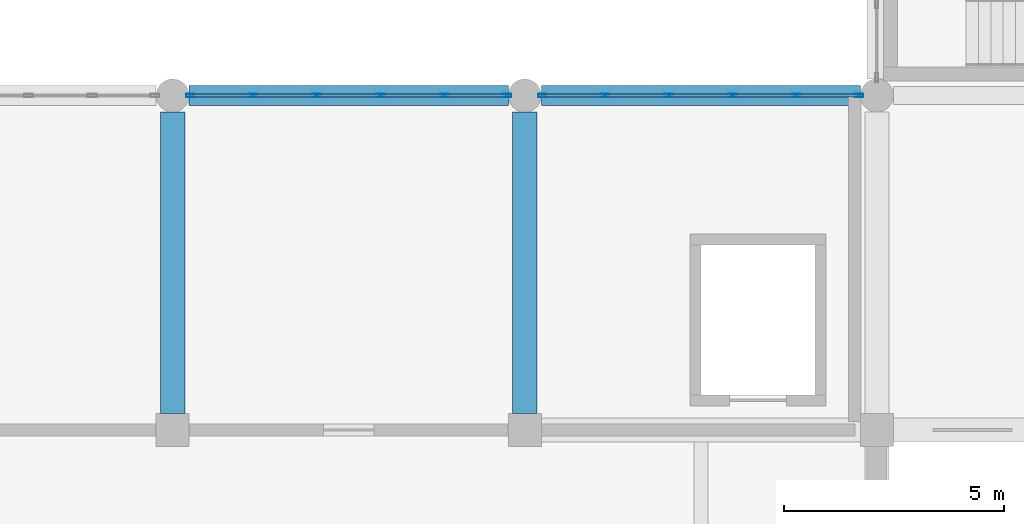
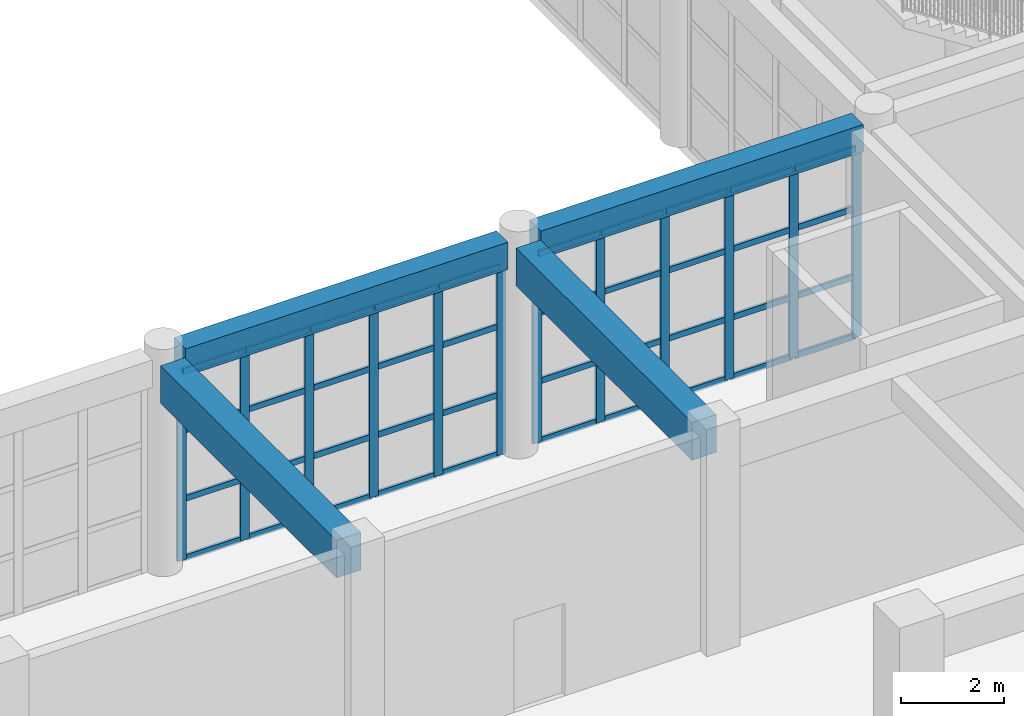
# One storey, part 20 of 95: 52 members, 4 beams, 2 elements without a shape of their own.
"""IFC4 building model written with IfcOpenShell, lengths in metres."""

from ifc_helpers import new_model, si_unit, direction, frame, origin, origin_2d, place, context, subcontext, project, spatial, rectangle, hollow_rectangle, extrude, material, material_profile, profile_set, type_object, element, aggregate, save


model = new_model("IFC4")

# Units and contexts
model_context = context("Model", 3, precision=1e-05, world=origin(), true_north=direction((0.0, 1.0)))
body_context = subcontext(model_context, "Body", "Model", "MODEL_VIEW")
ifc_project = project(units=[si_unit("LENGTHUNIT", "METRE"), si_unit("AREAUNIT", "SQUARE_METRE"), si_unit("VOLUMEUNIT", "CUBIC_METRE"), si_unit("PLANEANGLEUNIT", "RADIAN"), si_unit("MASSUNIT", "GRAM", prefix="KILO")], contexts=[model_context])

# Site, building, storey
site_placement = place(None, origin())
site = spatial("IfcSite", under=ifc_project, at=site_placement, CompositionType="ELEMENT")
building_placement = place(site_placement, origin())
building = spatial("IfcBuilding", under=site, at=building_placement, Name="Zantavel Square City Hall", CompositionType="ELEMENT")
storey_placement = place(building_placement, origin())
storey = spatial("IfcBuildingStorey", under=building, at=storey_placement, Name="L01", CompositionType="ELEMENT", Elevation=0.0)

# Beams
ifc_material_1 = material(Name="Concrete C40/50", Category="concrete")
ifc_material_profile_1 = material_profile(ifc_material_1, rectangle(XDim=0.550048828125, YDim=0.89990234375, at=origin_2d()), Name="RC 550x900")
ifc_profile_set_1 = profile_set([ifc_material_profile_1], Name="Concrete C40/50")
beam_type_1 = type_object("IfcBeamType", Name="Archive Heavy Girder RC 550x900 C40/50", PredefinedType="BEAM", material=ifc_profile_set_1)
for number, where, z_axis, x_axis, name in (
    (1, (32.0, 30.77490234375, 4.6298828125), (0.0, 1.0, 0.0), (-1.0, 0.0, 0.0), "L01 Beam BMY-L01-0320-0304"),
    (2, (40.0, 30.77490234375, 4.6298828125), (0.0, 1.0, 0.0), (-1.0, 0.0, 0.0), "L01 Beam BMY-L01-0400-0304"),
):
    element("IfcBeam", number, at=place(storey_placement, frame(where, z_axis=z_axis, x_axis=x_axis)), inside=storey, type_object=beam_type_1, Name=name, PredefinedType="BEAM", context=body_context, shape_type="SweptSolid", body=[
        extrude(rectangle(XDim=0.550048828125, YDim=0.89990234375, at=origin_2d()), origin(), (0.0, 0.0, 1.0), 6.85009765625),
    ])

# Curtain wall, members
ifc_material_2 = material(Name="Anodised aluminium 6063-T6", Category="aluminium")
curtain_wall_type = type_object("IfcCurtainWallType", Name="Curtain Wall CRT 7250x4510", PredefinedType="USERDEFINED", material=ifc_material_2)
curtain_wall_1_placement = place(storey_placement, origin())
curtain_wall_1 = element("IfcCurtainWall", 3, at=curtain_wall_1_placement, inside=storey, type_object=curtain_wall_type, Name="L01 Glazed Curtain Wall CW-L01-012", ObjectType="GLAZED CURTAIN WALL", PredefinedType="USERDEFINED")
ifc_material_profile_2 = material_profile(ifc_material_2, hollow_rectangle(XDim=0.070068359375, YDim=0.199951171875, WallThickness=0.00439453125, at=origin_2d()), Name="ALU 70x200x4.5")
ifc_profile_set_2 = profile_set([ifc_material_profile_2], Name="Anodised aluminium 6063-T6")
member_type_1 = type_object("IfcMemberType", Name="CW Heavy Hall Mullion ALU 70x200x4.5", PredefinedType="MULLION", material=ifc_profile_set_2)
member_1_placement = place(storey_placement, frame((32.405029296875, 38.0, 0.0), z_axis=(0.0, 0.0, 1.0), x_axis=(0.0, 1.0, 0.0)))
member_1 = element("IfcMember", 4, at=member_1_placement, type_object=member_type_1, Name="CW-012 mullion 1", PredefinedType="MULLION", context=body_context, shape_type="SweptSolid", body=[
    extrude(hollow_rectangle(XDim=0.070068359375, YDim=0.199951171875, WallThickness=0.00439453125, at=origin_2d()), origin(), (0.0, 0.0, 1.0), 4.510009765625),
])
member_2_placement = place(storey_placement, frame((33.824951171875, 38.0, 0.0), z_axis=(0.0, 0.0, 1.0), x_axis=(0.0, 1.0, 0.0)))
member_2 = element("IfcMember", 5, at=member_2_placement, type_object=member_type_1, Name="CW-012 mullion 2", PredefinedType="MULLION", context=body_context, shape_type="SweptSolid", body=[
    extrude(hollow_rectangle(XDim=0.070068359375, YDim=0.199951171875, WallThickness=0.00439453125, at=origin_2d()), origin(), (0.0, 0.0, 1.0), 4.510009765625),
])
member_3_placement = place(storey_placement, frame((35.27490234375, 38.0, 0.0), z_axis=(0.0, 0.0, 1.0), x_axis=(0.0, 1.0, 0.0)))
member_3 = element("IfcMember", 6, at=member_3_placement, type_object=member_type_1, Name="CW-012 mullion 3", PredefinedType="MULLION", context=body_context, shape_type="SweptSolid", body=[
    extrude(hollow_rectangle(XDim=0.070068359375, YDim=0.199951171875, WallThickness=0.00439453125, at=origin_2d()), origin(), (0.0, 0.0, 1.0), 4.510009765625),
])
member_4_placement = place(storey_placement, frame((36.72509765625, 38.0, 0.0), z_axis=(0.0, 0.0, 1.0), x_axis=(0.0, 1.0, 0.0)))
member_4 = element("IfcMember", 7, at=member_4_placement, type_object=member_type_1, Name="CW-012 mullion 4", PredefinedType="MULLION", context=body_context, shape_type="SweptSolid", body=[
    extrude(hollow_rectangle(XDim=0.070068359375, YDim=0.199951171875, WallThickness=0.00439453125, at=origin_2d()), origin(), (0.0, 0.0, 1.0), 4.510009765625),
])
member_5_placement = place(storey_placement, frame((38.175048828125, 38.0, 0.0), z_axis=(0.0, 0.0, 1.0), x_axis=(0.0, 1.0, 0.0)))
member_5 = element("IfcMember", 8, at=member_5_placement, type_object=member_type_1, Name="CW-012 mullion 5", PredefinedType="MULLION", context=body_context, shape_type="SweptSolid", body=[
    extrude(hollow_rectangle(XDim=0.070068359375, YDim=0.199951171875, WallThickness=0.00439453125, at=origin_2d()), origin(), (0.0, 0.0, 1.0), 4.510009765625),
])
member_6_placement = place(storey_placement, frame((39.594970703125, 38.0, 0.0), z_axis=(0.0, 0.0, 1.0), x_axis=(0.0, 1.0, 0.0)))
member_6 = element("IfcMember", 9, at=member_6_placement, type_object=member_type_1, Name="CW-012 mullion 6", PredefinedType="MULLION", context=body_context, shape_type="SweptSolid", body=[
    extrude(hollow_rectangle(XDim=0.070068359375, YDim=0.199951171875, WallThickness=0.00439453125, at=origin_2d()), origin(), (0.0, 0.0, 1.0), 4.510009765625),
])

curtain_wall_2_placement = place(storey_placement, origin())
curtain_wall_2 = element("IfcCurtainWall", 10, at=curtain_wall_2_placement, inside=storey, type_object=curtain_wall_type, Name="L01 Glazed Curtain Wall CW-L01-013", ObjectType="GLAZED CURTAIN WALL", PredefinedType="USERDEFINED")
member_7_placement = place(storey_placement, frame((40.405029296875, 38.0, 0.0), z_axis=(0.0, 0.0, 1.0), x_axis=(0.0, 1.0, 0.0)))
member_7 = element("IfcMember", 11, at=member_7_placement, type_object=member_type_1, Name="CW-013 mullion 1", PredefinedType="MULLION", context=body_context, shape_type="SweptSolid", body=[
    extrude(hollow_rectangle(XDim=0.070068359375, YDim=0.199951171875, WallThickness=0.00439453125, at=origin_2d()), origin(), (0.0, 0.0, 1.0), 4.510009765625),
])
member_8_placement = place(storey_placement, frame((41.824951171875, 38.0, 0.0), z_axis=(0.0, 0.0, 1.0), x_axis=(0.0, 1.0, 0.0)))
member_8 = element("IfcMember", 12, at=member_8_placement, type_object=member_type_1, Name="CW-013 mullion 2", PredefinedType="MULLION", context=body_context, shape_type="SweptSolid", body=[
    extrude(hollow_rectangle(XDim=0.070068359375, YDim=0.199951171875, WallThickness=0.00439453125, at=origin_2d()), origin(), (0.0, 0.0, 1.0), 4.510009765625),
])
member_9_placement = place(storey_placement, frame((43.27490234375, 38.0, 0.0), z_axis=(0.0, 0.0, 1.0), x_axis=(0.0, 1.0, 0.0)))
member_9 = element("IfcMember", 13, at=member_9_placement, type_object=member_type_1, Name="CW-013 mullion 3", PredefinedType="MULLION", context=body_context, shape_type="SweptSolid", body=[
    extrude(hollow_rectangle(XDim=0.070068359375, YDim=0.199951171875, WallThickness=0.00439453125, at=origin_2d()), origin(), (0.0, 0.0, 1.0), 4.510009765625),
])
member_10_placement = place(storey_placement, frame((44.72509765625, 38.0, 0.0), z_axis=(0.0, 0.0, 1.0), x_axis=(0.0, 1.0, 0.0)))
member_10 = element("IfcMember", 14, at=member_10_placement, type_object=member_type_1, Name="CW-013 mullion 4", PredefinedType="MULLION", context=body_context, shape_type="SweptSolid", body=[
    extrude(hollow_rectangle(XDim=0.070068359375, YDim=0.199951171875, WallThickness=0.00439453125, at=origin_2d()), origin(), (0.0, 0.0, 1.0), 4.510009765625),
])
member_11_placement = place(storey_placement, frame((46.175048828125, 38.0, 0.0), z_axis=(0.0, 0.0, 1.0), x_axis=(0.0, 1.0, 0.0)))
member_11 = element("IfcMember", 15, at=member_11_placement, type_object=member_type_1, Name="CW-013 mullion 5", PredefinedType="MULLION", context=body_context, shape_type="SweptSolid", body=[
    extrude(hollow_rectangle(XDim=0.070068359375, YDim=0.199951171875, WallThickness=0.00439453125, at=origin_2d()), origin(), (0.0, 0.0, 1.0), 4.510009765625),
])
member_12_placement = place(storey_placement, frame((47.594970703125, 38.0, 0.0), z_axis=(0.0, 0.0, 1.0), x_axis=(0.0, 1.0, 0.0)))
member_12 = element("IfcMember", 16, at=member_12_placement, type_object=member_type_1, Name="CW-013 mullion 6", PredefinedType="MULLION", context=body_context, shape_type="SweptSolid", body=[
    extrude(hollow_rectangle(XDim=0.070068359375, YDim=0.199951171875, WallThickness=0.00439453125, at=origin_2d()), origin(), (0.0, 0.0, 1.0), 4.510009765625),
])

# Member
ifc_material_profile_3 = material_profile(ifc_material_2, hollow_rectangle(XDim=0.06005859375, YDim=0.139892578125, WallThickness=0.00390625, at=origin_2d()), Name="ALU 60x140x4")
ifc_profile_set_3 = profile_set([ifc_material_profile_3], Name="Anodised aluminium 6063-T6")
member_type_2 = type_object("IfcMemberType", Name="CW Transom ALU 60x140x4", PredefinedType="USERDEFINED", material=ifc_profile_set_3)
member_13_placement = place(storey_placement, frame((32.43505859375, 38.0, 0.030029296875), z_axis=(1.0, 0.0, 0.0), x_axis=(0.0, 1.0, 0.0)))
member_13 = element("IfcMember", 17, at=member_13_placement, type_object=member_type_2, Name="CW-012 transom 1.1", ObjectType="TRANSOM", PredefinedType="USERDEFINED", context=body_context, shape_type="SweptSolid", body=[
    extrude(hollow_rectangle(XDim=0.06005859375, YDim=0.139892578125, WallThickness=0.00390625, at=origin_2d()), origin(), (0.0, 0.0, 1.0), 1.35986328125),
])

member_14_placement = place(storey_placement, frame((32.43505859375, 38.0, 1.443115234375), z_axis=(1.0, 0.0, 0.0), x_axis=(0.0, 1.0, 0.0)))
member_14 = element("IfcMember", 18, at=member_14_placement, type_object=member_type_2, Name="CW-012 transom 1.2", ObjectType="TRANSOM", PredefinedType="USERDEFINED", context=body_context, shape_type="SweptSolid", body=[
    extrude(hollow_rectangle(XDim=0.06005859375, YDim=0.139892578125, WallThickness=0.00390625, at=origin_2d()), origin(), (0.0, 0.0, 1.0), 1.35986328125),
])

member_15_placement = place(storey_placement, frame((32.43505859375, 38.0, 3.06689453125), z_axis=(1.0, 0.0, 0.0), x_axis=(0.0, 1.0, 0.0)))
member_15 = element("IfcMember", 19, at=member_15_placement, type_object=member_type_2, Name="CW-012 transom 1.3", ObjectType="TRANSOM", PredefinedType="USERDEFINED", context=body_context, shape_type="SweptSolid", body=[
    extrude(hollow_rectangle(XDim=0.06005859375, YDim=0.139892578125, WallThickness=0.00390625, at=origin_2d()), origin(), (0.0, 0.0, 1.0), 1.35986328125),
])

member_16_placement = place(storey_placement, frame((32.43505859375, 38.0, 4.47998046875), z_axis=(1.0, 0.0, 0.0), x_axis=(0.0, 1.0, 0.0)))
member_16 = element("IfcMember", 20, at=member_16_placement, type_object=member_type_2, Name="CW-012 transom 1.4", ObjectType="TRANSOM", PredefinedType="USERDEFINED", context=body_context, shape_type="SweptSolid", body=[
    extrude(hollow_rectangle(XDim=0.06005859375, YDim=0.139892578125, WallThickness=0.00390625, at=origin_2d()), origin(), (0.0, 0.0, 1.0), 1.35986328125),
])

member_17_placement = place(storey_placement, frame((33.85498046875, 38.0, 0.030029296875), z_axis=(1.0, 0.0, 0.0), x_axis=(0.0, 1.0, 0.0)))
member_17 = element("IfcMember", 21, at=member_17_placement, type_object=member_type_2, Name="CW-012 transom 2.1", ObjectType="TRANSOM", PredefinedType="USERDEFINED", context=body_context, shape_type="SweptSolid", body=[
    extrude(hollow_rectangle(XDim=0.06005859375, YDim=0.139892578125, WallThickness=0.00390625, at=origin_2d()), origin(), (0.0, 0.0, 1.0), 1.39013671875),
])

member_18_placement = place(storey_placement, frame((33.85498046875, 38.0, 1.443115234375), z_axis=(1.0, 0.0, 0.0), x_axis=(0.0, 1.0, 0.0)))
member_18 = element("IfcMember", 22, at=member_18_placement, type_object=member_type_2, Name="CW-012 transom 2.2", ObjectType="TRANSOM", PredefinedType="USERDEFINED", context=body_context, shape_type="SweptSolid", body=[
    extrude(hollow_rectangle(XDim=0.06005859375, YDim=0.139892578125, WallThickness=0.00390625, at=origin_2d()), origin(), (0.0, 0.0, 1.0), 1.39013671875),
])

member_19_placement = place(storey_placement, frame((33.85498046875, 38.0, 3.06689453125), z_axis=(1.0, 0.0, 0.0), x_axis=(0.0, 1.0, 0.0)))
member_19 = element("IfcMember", 23, at=member_19_placement, type_object=member_type_2, Name="CW-012 transom 2.3", ObjectType="TRANSOM", PredefinedType="USERDEFINED", context=body_context, shape_type="SweptSolid", body=[
    extrude(hollow_rectangle(XDim=0.06005859375, YDim=0.139892578125, WallThickness=0.00390625, at=origin_2d()), origin(), (0.0, 0.0, 1.0), 1.39013671875),
])

member_20_placement = place(storey_placement, frame((33.85498046875, 38.0, 4.47998046875), z_axis=(1.0, 0.0, 0.0), x_axis=(0.0, 1.0, 0.0)))
member_20 = element("IfcMember", 24, at=member_20_placement, type_object=member_type_2, Name="CW-012 transom 2.4", ObjectType="TRANSOM", PredefinedType="USERDEFINED", context=body_context, shape_type="SweptSolid", body=[
    extrude(hollow_rectangle(XDim=0.06005859375, YDim=0.139892578125, WallThickness=0.00390625, at=origin_2d()), origin(), (0.0, 0.0, 1.0), 1.39013671875),
])

member_21_placement = place(storey_placement, frame((35.304931640625, 38.0, 0.030029296875), z_axis=(1.0, 0.0, 0.0), x_axis=(0.0, 1.0, 0.0)))
member_21 = element("IfcMember", 25, at=member_21_placement, type_object=member_type_2, Name="CW-012 transom 3.1", ObjectType="TRANSOM", PredefinedType="USERDEFINED", context=body_context, shape_type="SweptSolid", body=[
    extrude(hollow_rectangle(XDim=0.06005859375, YDim=0.139892578125, WallThickness=0.00390625, at=origin_2d()), origin(), (0.0, 0.0, 1.0), 1.39013671875),
])

member_22_placement = place(storey_placement, frame((35.304931640625, 38.0, 1.443115234375), z_axis=(1.0, 0.0, 0.0), x_axis=(0.0, 1.0, 0.0)))
member_22 = element("IfcMember", 26, at=member_22_placement, type_object=member_type_2, Name="CW-012 transom 3.2", ObjectType="TRANSOM", PredefinedType="USERDEFINED", context=body_context, shape_type="SweptSolid", body=[
    extrude(hollow_rectangle(XDim=0.06005859375, YDim=0.139892578125, WallThickness=0.00390625, at=origin_2d()), origin(), (0.0, 0.0, 1.0), 1.39013671875),
])

member_23_placement = place(storey_placement, frame((35.304931640625, 38.0, 3.06689453125), z_axis=(1.0, 0.0, 0.0), x_axis=(0.0, 1.0, 0.0)))
member_23 = element("IfcMember", 27, at=member_23_placement, type_object=member_type_2, Name="CW-012 transom 3.3", ObjectType="TRANSOM", PredefinedType="USERDEFINED", context=body_context, shape_type="SweptSolid", body=[
    extrude(hollow_rectangle(XDim=0.06005859375, YDim=0.139892578125, WallThickness=0.00390625, at=origin_2d()), origin(), (0.0, 0.0, 1.0), 1.39013671875),
])

member_24_placement = place(storey_placement, frame((35.304931640625, 38.0, 4.47998046875), z_axis=(1.0, 0.0, 0.0), x_axis=(0.0, 1.0, 0.0)))
member_24 = element("IfcMember", 28, at=member_24_placement, type_object=member_type_2, Name="CW-012 transom 3.4", ObjectType="TRANSOM", PredefinedType="USERDEFINED", context=body_context, shape_type="SweptSolid", body=[
    extrude(hollow_rectangle(XDim=0.06005859375, YDim=0.139892578125, WallThickness=0.00390625, at=origin_2d()), origin(), (0.0, 0.0, 1.0), 1.39013671875),
])

member_25_placement = place(storey_placement, frame((36.7548828125, 38.0, 0.030029296875), z_axis=(1.0, 0.0, 0.0), x_axis=(0.0, 1.0, 0.0)))
member_25 = element("IfcMember", 29, at=member_25_placement, type_object=member_type_2, Name="CW-012 transom 4.1", ObjectType="TRANSOM", PredefinedType="USERDEFINED", context=body_context, shape_type="SweptSolid", body=[
    extrude(hollow_rectangle(XDim=0.06005859375, YDim=0.139892578125, WallThickness=0.00390625, at=origin_2d()), origin(), (0.0, 0.0, 1.0), 1.39013671875),
])

member_26_placement = place(storey_placement, frame((36.7548828125, 38.0, 1.443115234375), z_axis=(1.0, 0.0, 0.0), x_axis=(0.0, 1.0, 0.0)))
member_26 = element("IfcMember", 30, at=member_26_placement, type_object=member_type_2, Name="CW-012 transom 4.2", ObjectType="TRANSOM", PredefinedType="USERDEFINED", context=body_context, shape_type="SweptSolid", body=[
    extrude(hollow_rectangle(XDim=0.06005859375, YDim=0.139892578125, WallThickness=0.00390625, at=origin_2d()), origin(), (0.0, 0.0, 1.0), 1.39013671875),
])

member_27_placement = place(storey_placement, frame((36.7548828125, 38.0, 3.06689453125), z_axis=(1.0, 0.0, 0.0), x_axis=(0.0, 1.0, 0.0)))
member_27 = element("IfcMember", 31, at=member_27_placement, type_object=member_type_2, Name="CW-012 transom 4.3", ObjectType="TRANSOM", PredefinedType="USERDEFINED", context=body_context, shape_type="SweptSolid", body=[
    extrude(hollow_rectangle(XDim=0.06005859375, YDim=0.139892578125, WallThickness=0.00390625, at=origin_2d()), origin(), (0.0, 0.0, 1.0), 1.39013671875),
])

member_28_placement = place(storey_placement, frame((36.7548828125, 38.0, 4.47998046875), z_axis=(1.0, 0.0, 0.0), x_axis=(0.0, 1.0, 0.0)))
member_28 = element("IfcMember", 32, at=member_28_placement, type_object=member_type_2, Name="CW-012 transom 4.4", ObjectType="TRANSOM", PredefinedType="USERDEFINED", context=body_context, shape_type="SweptSolid", body=[
    extrude(hollow_rectangle(XDim=0.06005859375, YDim=0.139892578125, WallThickness=0.00390625, at=origin_2d()), origin(), (0.0, 0.0, 1.0), 1.39013671875),
])

member_29_placement = place(storey_placement, frame((38.205078125, 38.0, 0.030029296875), z_axis=(1.0, 0.0, 0.0), x_axis=(0.0, 1.0, 0.0)))
member_29 = element("IfcMember", 33, at=member_29_placement, type_object=member_type_2, Name="CW-012 transom 5.1", ObjectType="TRANSOM", PredefinedType="USERDEFINED", context=body_context, shape_type="SweptSolid", body=[
    extrude(hollow_rectangle(XDim=0.06005859375, YDim=0.139892578125, WallThickness=0.00390625, at=origin_2d()), origin(), (0.0, 0.0, 1.0), 1.35986328125),
])

member_30_placement = place(storey_placement, frame((38.205078125, 38.0, 1.443115234375), z_axis=(1.0, 0.0, 0.0), x_axis=(0.0, 1.0, 0.0)))
member_30 = element("IfcMember", 34, at=member_30_placement, type_object=member_type_2, Name="CW-012 transom 5.2", ObjectType="TRANSOM", PredefinedType="USERDEFINED", context=body_context, shape_type="SweptSolid", body=[
    extrude(hollow_rectangle(XDim=0.06005859375, YDim=0.139892578125, WallThickness=0.00390625, at=origin_2d()), origin(), (0.0, 0.0, 1.0), 1.35986328125),
])

member_31_placement = place(storey_placement, frame((38.205078125, 38.0, 3.06689453125), z_axis=(1.0, 0.0, 0.0), x_axis=(0.0, 1.0, 0.0)))
member_31 = element("IfcMember", 35, at=member_31_placement, type_object=member_type_2, Name="CW-012 transom 5.3", ObjectType="TRANSOM", PredefinedType="USERDEFINED", context=body_context, shape_type="SweptSolid", body=[
    extrude(hollow_rectangle(XDim=0.06005859375, YDim=0.139892578125, WallThickness=0.00390625, at=origin_2d()), origin(), (0.0, 0.0, 1.0), 1.35986328125),
])

member_32_placement = place(storey_placement, frame((38.205078125, 38.0, 4.47998046875), z_axis=(1.0, 0.0, 0.0), x_axis=(0.0, 1.0, 0.0)))
member_32 = element("IfcMember", 36, at=member_32_placement, type_object=member_type_2, Name="CW-012 transom 5.4", ObjectType="TRANSOM", PredefinedType="USERDEFINED", context=body_context, shape_type="SweptSolid", body=[
    extrude(hollow_rectangle(XDim=0.06005859375, YDim=0.139892578125, WallThickness=0.00390625, at=origin_2d()), origin(), (0.0, 0.0, 1.0), 1.35986328125),
])

aggregate(curtain_wall_1, [member_1, member_2, member_3, member_4, member_5, member_6, member_13, member_14, member_15, member_16, member_17, member_18, member_19, member_20, member_21, member_22, member_23, member_24, member_25, member_26, member_27, member_28, member_29, member_30, member_31, member_32])

member_33_placement = place(storey_placement, frame((40.43505859375, 38.0, 0.030029296875), z_axis=(1.0, 0.0, 0.0), x_axis=(0.0, 1.0, 0.0)))
member_33 = element("IfcMember", 37, at=member_33_placement, type_object=member_type_2, Name="CW-013 transom 1.1", ObjectType="TRANSOM", PredefinedType="USERDEFINED", context=body_context, shape_type="SweptSolid", body=[
    extrude(hollow_rectangle(XDim=0.06005859375, YDim=0.139892578125, WallThickness=0.00390625, at=origin_2d()), origin(), (0.0, 0.0, 1.0), 1.35986328125),
])

member_34_placement = place(storey_placement, frame((40.43505859375, 38.0, 1.443115234375), z_axis=(1.0, 0.0, 0.0), x_axis=(0.0, 1.0, 0.0)))
member_34 = element("IfcMember", 38, at=member_34_placement, type_object=member_type_2, Name="CW-013 transom 1.2", ObjectType="TRANSOM", PredefinedType="USERDEFINED", context=body_context, shape_type="SweptSolid", body=[
    extrude(hollow_rectangle(XDim=0.06005859375, YDim=0.139892578125, WallThickness=0.00390625, at=origin_2d()), origin(), (0.0, 0.0, 1.0), 1.35986328125),
])

member_35_placement = place(storey_placement, frame((40.43505859375, 38.0, 3.06689453125), z_axis=(1.0, 0.0, 0.0), x_axis=(0.0, 1.0, 0.0)))
member_35 = element("IfcMember", 39, at=member_35_placement, type_object=member_type_2, Name="CW-013 transom 1.3", ObjectType="TRANSOM", PredefinedType="USERDEFINED", context=body_context, shape_type="SweptSolid", body=[
    extrude(hollow_rectangle(XDim=0.06005859375, YDim=0.139892578125, WallThickness=0.00390625, at=origin_2d()), origin(), (0.0, 0.0, 1.0), 1.35986328125),
])

member_36_placement = place(storey_placement, frame((40.43505859375, 38.0, 4.47998046875), z_axis=(1.0, 0.0, 0.0), x_axis=(0.0, 1.0, 0.0)))
member_36 = element("IfcMember", 40, at=member_36_placement, type_object=member_type_2, Name="CW-013 transom 1.4", ObjectType="TRANSOM", PredefinedType="USERDEFINED", context=body_context, shape_type="SweptSolid", body=[
    extrude(hollow_rectangle(XDim=0.06005859375, YDim=0.139892578125, WallThickness=0.00390625, at=origin_2d()), origin(), (0.0, 0.0, 1.0), 1.35986328125),
])

member_37_placement = place(storey_placement, frame((41.85498046875, 38.0, 0.030029296875), z_axis=(1.0, 0.0, 0.0), x_axis=(0.0, 1.0, 0.0)))
member_37 = element("IfcMember", 41, at=member_37_placement, type_object=member_type_2, Name="CW-013 transom 2.1", ObjectType="TRANSOM", PredefinedType="USERDEFINED", context=body_context, shape_type="SweptSolid", body=[
    extrude(hollow_rectangle(XDim=0.06005859375, YDim=0.139892578125, WallThickness=0.00390625, at=origin_2d()), origin(), (0.0, 0.0, 1.0), 1.39013671875),
])

member_38_placement = place(storey_placement, frame((41.85498046875, 38.0, 1.443115234375), z_axis=(1.0, 0.0, 0.0), x_axis=(0.0, 1.0, 0.0)))
member_38 = element("IfcMember", 42, at=member_38_placement, type_object=member_type_2, Name="CW-013 transom 2.2", ObjectType="TRANSOM", PredefinedType="USERDEFINED", context=body_context, shape_type="SweptSolid", body=[
    extrude(hollow_rectangle(XDim=0.06005859375, YDim=0.139892578125, WallThickness=0.00390625, at=origin_2d()), origin(), (0.0, 0.0, 1.0), 1.39013671875),
])

member_39_placement = place(storey_placement, frame((41.85498046875, 38.0, 3.06689453125), z_axis=(1.0, 0.0, 0.0), x_axis=(0.0, 1.0, 0.0)))
member_39 = element("IfcMember", 43, at=member_39_placement, type_object=member_type_2, Name="CW-013 transom 2.3", ObjectType="TRANSOM", PredefinedType="USERDEFINED", context=body_context, shape_type="SweptSolid", body=[
    extrude(hollow_rectangle(XDim=0.06005859375, YDim=0.139892578125, WallThickness=0.00390625, at=origin_2d()), origin(), (0.0, 0.0, 1.0), 1.39013671875),
])

member_40_placement = place(storey_placement, frame((41.85498046875, 38.0, 4.47998046875), z_axis=(1.0, 0.0, 0.0), x_axis=(0.0, 1.0, 0.0)))
member_40 = element("IfcMember", 44, at=member_40_placement, type_object=member_type_2, Name="CW-013 transom 2.4", ObjectType="TRANSOM", PredefinedType="USERDEFINED", context=body_context, shape_type="SweptSolid", body=[
    extrude(hollow_rectangle(XDim=0.06005859375, YDim=0.139892578125, WallThickness=0.00390625, at=origin_2d()), origin(), (0.0, 0.0, 1.0), 1.39013671875),
])

member_41_placement = place(storey_placement, frame((43.304931640625, 38.0, 0.030029296875), z_axis=(1.0, 0.0, 0.0), x_axis=(0.0, 1.0, 0.0)))
member_41 = element("IfcMember", 45, at=member_41_placement, type_object=member_type_2, Name="CW-013 transom 3.1", ObjectType="TRANSOM", PredefinedType="USERDEFINED", context=body_context, shape_type="SweptSolid", body=[
    extrude(hollow_rectangle(XDim=0.06005859375, YDim=0.139892578125, WallThickness=0.00390625, at=origin_2d()), origin(), (0.0, 0.0, 1.0), 1.39013671875),
])

member_42_placement = place(storey_placement, frame((43.304931640625, 38.0, 1.443115234375), z_axis=(1.0, 0.0, 0.0), x_axis=(0.0, 1.0, 0.0)))
member_42 = element("IfcMember", 46, at=member_42_placement, type_object=member_type_2, Name="CW-013 transom 3.2", ObjectType="TRANSOM", PredefinedType="USERDEFINED", context=body_context, shape_type="SweptSolid", body=[
    extrude(hollow_rectangle(XDim=0.06005859375, YDim=0.139892578125, WallThickness=0.00390625, at=origin_2d()), origin(), (0.0, 0.0, 1.0), 1.39013671875),
])

member_43_placement = place(storey_placement, frame((43.304931640625, 38.0, 3.06689453125), z_axis=(1.0, 0.0, 0.0), x_axis=(0.0, 1.0, 0.0)))
member_43 = element("IfcMember", 47, at=member_43_placement, type_object=member_type_2, Name="CW-013 transom 3.3", ObjectType="TRANSOM", PredefinedType="USERDEFINED", context=body_context, shape_type="SweptSolid", body=[
    extrude(hollow_rectangle(XDim=0.06005859375, YDim=0.139892578125, WallThickness=0.00390625, at=origin_2d()), origin(), (0.0, 0.0, 1.0), 1.39013671875),
])

member_44_placement = place(storey_placement, frame((43.304931640625, 38.0, 4.47998046875), z_axis=(1.0, 0.0, 0.0), x_axis=(0.0, 1.0, 0.0)))
member_44 = element("IfcMember", 48, at=member_44_placement, type_object=member_type_2, Name="CW-013 transom 3.4", ObjectType="TRANSOM", PredefinedType="USERDEFINED", context=body_context, shape_type="SweptSolid", body=[
    extrude(hollow_rectangle(XDim=0.06005859375, YDim=0.139892578125, WallThickness=0.00390625, at=origin_2d()), origin(), (0.0, 0.0, 1.0), 1.39013671875),
])

member_45_placement = place(storey_placement, frame((44.7548828125, 38.0, 0.030029296875), z_axis=(1.0, 0.0, 0.0), x_axis=(0.0, 1.0, 0.0)))
member_45 = element("IfcMember", 49, at=member_45_placement, type_object=member_type_2, Name="CW-013 transom 4.1", ObjectType="TRANSOM", PredefinedType="USERDEFINED", context=body_context, shape_type="SweptSolid", body=[
    extrude(hollow_rectangle(XDim=0.06005859375, YDim=0.139892578125, WallThickness=0.00390625, at=origin_2d()), origin(), (0.0, 0.0, 1.0), 1.39013671875),
])

member_46_placement = place(storey_placement, frame((44.7548828125, 38.0, 1.443115234375), z_axis=(1.0, 0.0, 0.0), x_axis=(0.0, 1.0, 0.0)))
member_46 = element("IfcMember", 50, at=member_46_placement, type_object=member_type_2, Name="CW-013 transom 4.2", ObjectType="TRANSOM", PredefinedType="USERDEFINED", context=body_context, shape_type="SweptSolid", body=[
    extrude(hollow_rectangle(XDim=0.06005859375, YDim=0.139892578125, WallThickness=0.00390625, at=origin_2d()), origin(), (0.0, 0.0, 1.0), 1.39013671875),
])

member_47_placement = place(storey_placement, frame((44.7548828125, 38.0, 3.06689453125), z_axis=(1.0, 0.0, 0.0), x_axis=(0.0, 1.0, 0.0)))
member_47 = element("IfcMember", 51, at=member_47_placement, type_object=member_type_2, Name="CW-013 transom 4.3", ObjectType="TRANSOM", PredefinedType="USERDEFINED", context=body_context, shape_type="SweptSolid", body=[
    extrude(hollow_rectangle(XDim=0.06005859375, YDim=0.139892578125, WallThickness=0.00390625, at=origin_2d()), origin(), (0.0, 0.0, 1.0), 1.39013671875),
])

member_48_placement = place(storey_placement, frame((44.7548828125, 38.0, 4.47998046875), z_axis=(1.0, 0.0, 0.0), x_axis=(0.0, 1.0, 0.0)))
member_48 = element("IfcMember", 52, at=member_48_placement, type_object=member_type_2, Name="CW-013 transom 4.4", ObjectType="TRANSOM", PredefinedType="USERDEFINED", context=body_context, shape_type="SweptSolid", body=[
    extrude(hollow_rectangle(XDim=0.06005859375, YDim=0.139892578125, WallThickness=0.00390625, at=origin_2d()), origin(), (0.0, 0.0, 1.0), 1.39013671875),
])

member_49_placement = place(storey_placement, frame((46.205078125, 38.0, 0.030029296875), z_axis=(1.0, 0.0, 0.0), x_axis=(0.0, 1.0, 0.0)))
member_49 = element("IfcMember", 53, at=member_49_placement, type_object=member_type_2, Name="CW-013 transom 5.1", ObjectType="TRANSOM", PredefinedType="USERDEFINED", context=body_context, shape_type="SweptSolid", body=[
    extrude(hollow_rectangle(XDim=0.06005859375, YDim=0.139892578125, WallThickness=0.00390625, at=origin_2d()), origin(), (0.0, 0.0, 1.0), 1.35986328125),
])

member_50_placement = place(storey_placement, frame((46.205078125, 38.0, 1.443115234375), z_axis=(1.0, 0.0, 0.0), x_axis=(0.0, 1.0, 0.0)))
member_50 = element("IfcMember", 54, at=member_50_placement, type_object=member_type_2, Name="CW-013 transom 5.2", ObjectType="TRANSOM", PredefinedType="USERDEFINED", context=body_context, shape_type="SweptSolid", body=[
    extrude(hollow_rectangle(XDim=0.06005859375, YDim=0.139892578125, WallThickness=0.00390625, at=origin_2d()), origin(), (0.0, 0.0, 1.0), 1.35986328125),
])

member_51_placement = place(storey_placement, frame((46.205078125, 38.0, 3.06689453125), z_axis=(1.0, 0.0, 0.0), x_axis=(0.0, 1.0, 0.0)))
member_51 = element("IfcMember", 55, at=member_51_placement, type_object=member_type_2, Name="CW-013 transom 5.3", ObjectType="TRANSOM", PredefinedType="USERDEFINED", context=body_context, shape_type="SweptSolid", body=[
    extrude(hollow_rectangle(XDim=0.06005859375, YDim=0.139892578125, WallThickness=0.00390625, at=origin_2d()), origin(), (0.0, 0.0, 1.0), 1.35986328125),
])

member_52_placement = place(storey_placement, frame((46.205078125, 38.0, 4.47998046875), z_axis=(1.0, 0.0, 0.0), x_axis=(0.0, 1.0, 0.0)))
member_52 = element("IfcMember", 56, at=member_52_placement, type_object=member_type_2, Name="CW-013 transom 5.4", ObjectType="TRANSOM", PredefinedType="USERDEFINED", context=body_context, shape_type="SweptSolid", body=[
    extrude(hollow_rectangle(XDim=0.06005859375, YDim=0.139892578125, WallThickness=0.00390625, at=origin_2d()), origin(), (0.0, 0.0, 1.0), 1.35986328125),
])

aggregate(curtain_wall_2, [member_7, member_8, member_9, member_10, member_11, member_12, member_33, member_34, member_35, member_36, member_37, member_38, member_39, member_40, member_41, member_42, member_43, member_44, member_45, member_46, member_47, member_48, member_49, member_50, member_51, member_52])

# Beams
ifc_material_3 = material(Name="Concrete C35/45", Category="concrete")
ifc_material_profile_4 = material_profile(ifc_material_3, rectangle(XDim=0.449951171875, YDim=0.64990234375, at=origin_2d()), Name="RC 450x650")
ifc_profile_set_4 = profile_set([ifc_material_profile_4], Name="Concrete C35/45")
beam_type_2 = type_object("IfcBeamType", Name="Courtyard Cloister Girder RC 450x650 C35/45", PredefinedType="BEAM", material=ifc_profile_set_4)
for number, where, z_axis, x_axis, name in (
    (57, (32.375, 38.0, 4.8349609375), (1.0, 0.0, 0.0), (0.0, 1.0, 0.0), "L01 Girder BMX-L01-0320-0380"),
    (58, (40.375, 38.0, 4.8349609375), (1.0, 0.0, 0.0), (0.0, 1.0, 0.0), "L01 Girder BMX-L01-0400-0380"),
):
    element("IfcBeam", number, at=place(storey_placement, frame(where, z_axis=z_axis, x_axis=x_axis)), inside=storey, type_object=beam_type_2, Name=name, PredefinedType="BEAM", context=body_context, shape_type="SweptSolid", body=[
        extrude(rectangle(XDim=0.449951171875, YDim=0.64990234375, at=origin_2d()), origin(), (0.0, 0.0, 1.0), 7.25),
    ])

save(model, "model.ifc")
